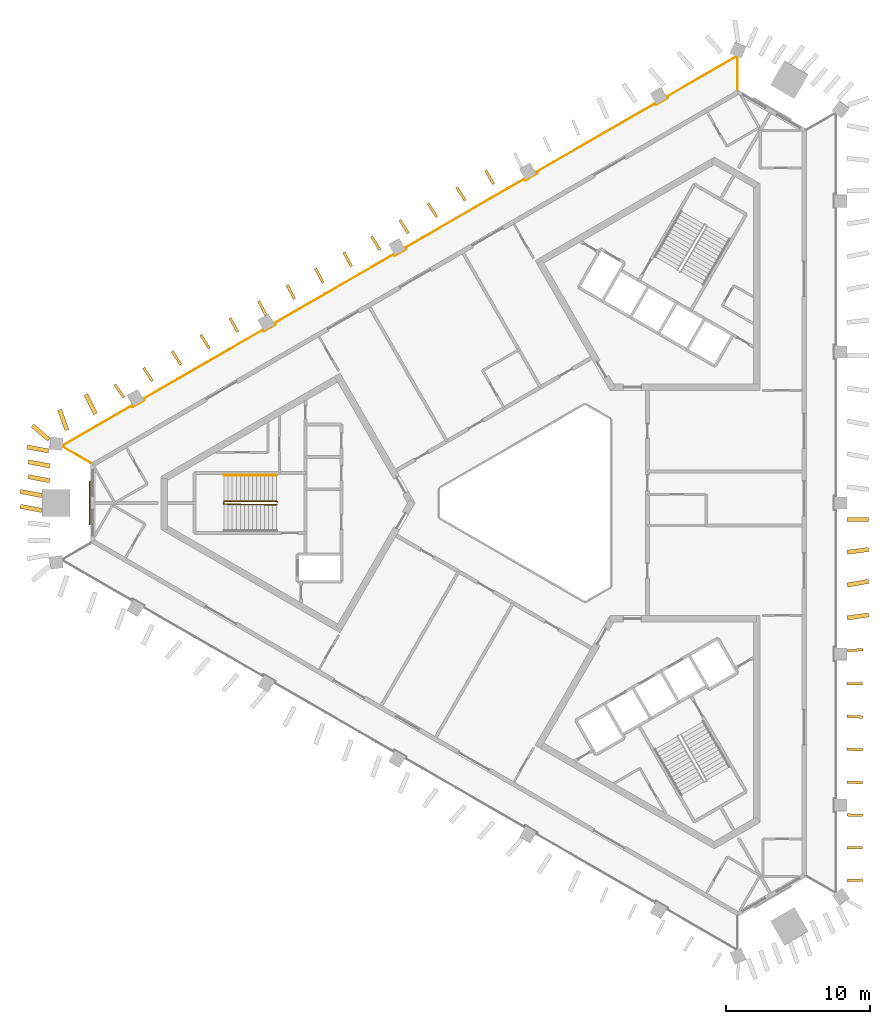
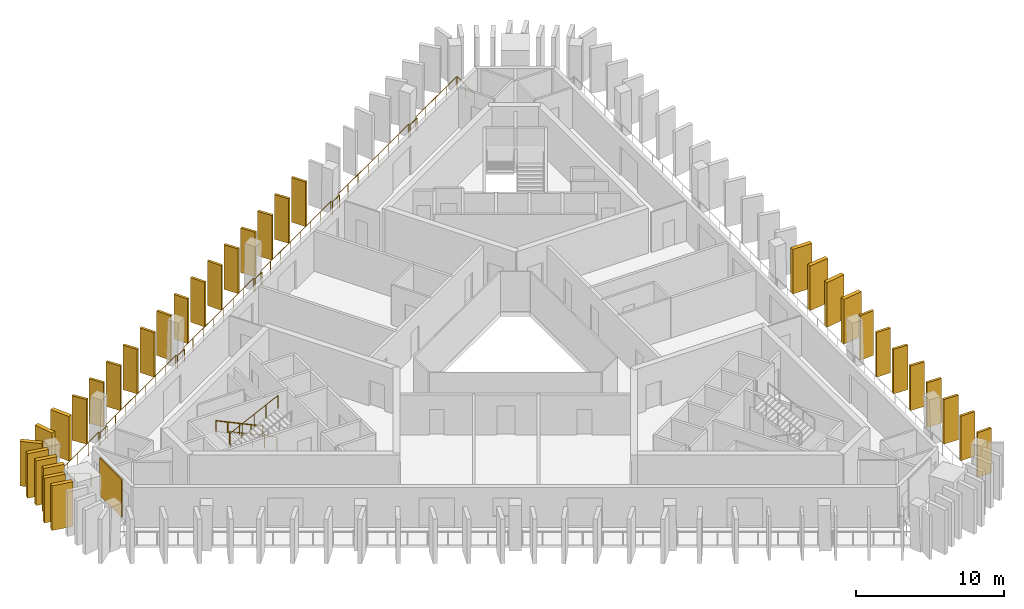
# One storey, part 8 of 9: 34 shading devices, 3 railings, 1 covering.
"""IFC4 building model written with IfcOpenShell, lengths in metres."""

import ifcopenshell
import ifcopenshell.guid

model = None  # the IFC model being written
_history = None  # IfcOwnerHistory: only IFC2X3 demands one
_inside = {}  # id of a spatial element -> (the spatial element, [elements in it])
_under = {}  # id of a project, library or spatial element -> (it, [spatial elements below it])
_declared = {}  # id of a project -> (the project, [libraries it declares])
_typed = {}  # id of a type object -> (the type object, [elements of that type])
_made_of = {}  # id of a material, layer set ... -> (it, [elements and type objects made of it])


def new_model(schema):
    """Start an empty IFC model of exactly this schema.

    Asked for "IFC4X3", IfcOpenShell would pick the latest addendum, in which some entities
    have other attributes; the version numbers below select the first issue.
    IFC2X3 requires an IfcOwnerHistory on every rooted entity: one is made here for all.
    """
    global model, _history
    if schema == "IFC4X3":
        model = ifcopenshell.file(schema_version=(4, 3, 0, 0))
    else:
        model = ifcopenshell.file(schema=schema)
    _inside.clear()
    _under.clear()
    _declared.clear()
    _typed.clear()
    _made_of.clear()
    _history = None
    if model.schema == "IFC2X3":
        org = make("IfcOrganization", Name="unknown")
        user = make(
            "IfcPersonAndOrganization",
            ThePerson=make("IfcPerson", FamilyName="unknown"),
            TheOrganization=org,
        )
        app = make(
            "IfcApplication",
            ApplicationDeveloper=org,
            Version="unknown",
            ApplicationFullName="unknown",
            ApplicationIdentifier="unknown",
        )
        _history = make(
            "IfcOwnerHistory",
            OwningUser=user,
            OwningApplication=app,
            ChangeAction="ADDED",
            CreationDate=0,
        )
    return model


def make(cls, **values):
    """One entity of the class cls with the attributes given. An attribute that is None is left unset."""
    return model.create_entity(
        cls, **{name: value for name, value in values.items() if value is not None}
    )


def rooted(cls, **values):
    """An entity with a GlobalId (a new one), such as an element, a storey or a relation."""
    return make(cls, GlobalId=ifcopenshell.guid.new(), OwnerHistory=_history, **values)


def si_unit(unit_type, name, prefix=None):
    """IfcSIUnit, for example si_unit("LENGTHUNIT", "METRE", prefix="MILLI")."""
    return make("IfcSIUnit", UnitType=unit_type, Prefix=prefix, Name=name)


def assignment(units):
    """IfcUnitAssignment: the units of a project."""
    return None if units is None else make("IfcUnitAssignment", Units=units)


def point(xyz):
    """IfcCartesianPoint."""
    return None if xyz is None else make("IfcCartesianPoint", Coordinates=xyz)


def direction(xyz):
    """IfcDirection."""
    return None if xyz is None else make("IfcDirection", DirectionRatios=xyz)


def frame(location, z_axis=None, x_axis=None):
    """IfcAxis2Placement3D, a coordinate frame: its origin and axes. An axis left out is left unset."""
    return make(
        "IfcAxis2Placement3D",
        Location=point(location),
        Axis=direction(z_axis),
        RefDirection=direction(x_axis),
    )


def frame_2d(location, x_axis=None):
    """IfcAxis2Placement2D, a coordinate frame in the plane: its origin and x axis."""
    return make(
        "IfcAxis2Placement2D", Location=point(location), RefDirection=direction(x_axis)
    )


def origin():
    """The frame at (0, 0, 0) with its axes left unset."""
    return frame((0.0, 0.0, 0.0))


def origin_2d():
    """The frame at (0, 0) in the plane with its x axis left unset."""
    return frame_2d((0.0, 0.0))


def place(relative_to, where):
    """IfcLocalPlacement: puts the frame where relative to a parent placement (None: the world)."""
    return make(
        "IfcLocalPlacement", PlacementRelTo=relative_to, RelativePlacement=where
    )


def context(
    kind, dimensions, precision=None, world=None, true_north=None, identifier=None
):
    """IfcGeometricRepresentationContext, for example the 3D "Model" context."""
    return make(
        "IfcGeometricRepresentationContext",
        ContextIdentifier=identifier,
        ContextType=kind,
        CoordinateSpaceDimension=dimensions,
        Precision=precision,
        WorldCoordinateSystem=world,
        TrueNorth=true_north,
    )


def subcontext(parent, identifier, kind, view, scale=None):
    """IfcGeometricRepresentationSubContext, for example "Body" below "Model"."""
    return make(
        "IfcGeometricRepresentationSubContext",
        ContextIdentifier=identifier,
        ContextType=kind,
        ParentContext=parent,
        TargetScale=scale,
        TargetView=view,
    )


def project(units=None, contexts=None):
    """IfcProject with its units and contexts."""
    return rooted(
        "IfcProject",
        Name="project",
        RepresentationContexts=contexts,
        UnitsInContext=assignment(units),
    )


def spatial(cls, under=None, at=None, **own):
    """A site, building, storey or space (cls), placed at a placement, below another one or the project."""
    s = rooted(cls, ObjectPlacement=at, **own)
    if under is not None:
        _under.setdefault(under.id(), (under, []))[1].append(s)
    return s


def profile(cls, at=None, kind="AREA", **sizes):
    """A parametric profile (cls). Its sizes go by their IFC names, for example OverallWidth=200.0."""
    return make(cls, ProfileType=kind, Position=at, **sizes)


def rectangle(**sizes):
    """IfcRectangleProfileDef."""
    return profile("IfcRectangleProfileDef", **sizes)


def circle(**sizes):
    """IfcCircleProfileDef."""
    return profile("IfcCircleProfileDef", **sizes)


def extrude(swept, where, along, depth):
    """IfcExtrudedAreaSolid: the profile swept, set in the frame where, extruded along a direction by depth."""
    return make(
        "IfcExtrudedAreaSolid",
        SweptArea=swept,
        Position=where,
        ExtrudedDirection=direction(along),
        Depth=depth,
    )


def shape(context_of_items, identifier, shape_type, items):
    """IfcShapeRepresentation: the items that make up one representation, for example the "Body"."""
    return make(
        "IfcShapeRepresentation",
        ContextOfItems=context_of_items,
        RepresentationIdentifier=identifier,
        RepresentationType=shape_type,
        Items=items,
    )


def material(Name=None, Category=None):
    """IfcMaterial."""
    return make("IfcMaterial", Name=Name, Category=Category)


def layer(
    of_material, thickness, ventilated=None, Name=None, Category=None, Priority=None
):
    """IfcMaterialLayer: one layer of a wall or slab, of a material (None: an air gap)."""
    return make(
        "IfcMaterialLayer",
        Material=of_material,
        LayerThickness=thickness,
        IsVentilated=ventilated,
        Name=Name,
        Category=Category,
        Priority=Priority,
    )


def layer_set(layers, Name=None):
    """IfcMaterialLayerSet."""
    return make("IfcMaterialLayerSet", MaterialLayers=layers, LayerSetName=Name)


def made_of(thing, what):
    """Note that an element or type object is made of a material, layer set ...; save() writes the relation."""
    if what is not None:
        _made_of.setdefault(what.id(), (what, []))[1].append(thing)
    return thing


def type_object(cls, material=None, **own):
    """A type object (cls), such as IfcWallType, which elements share."""
    return made_of(rooted(cls, **own), material)


def element(
    cls,
    number,
    at=None,
    inside=None,
    cuts=None,
    type_object=None,
    material=None,
    context=None,
    identifier="Body",
    shape_type=None,
    held_by="IfcProductDefinitionShape",
    body=None,
    shapes=None,
    **own,
):
    """One element of the class cls, such as IfcWall. Its Tag is "e" and its number.

    at: its placement. inside: the storey or other place that contains it. cuts: it is an
    opening in that element (IfcRelVoidsElement). A single representation is given by context,
    identifier, shape_type and body (its items); several are given by shapes. held_by: the class
    of the entity that holds the representations. save() writes the other relations.
    """
    e = rooted(cls, Tag="e%d" % number, ObjectPlacement=at, **own)
    if body is not None:
        shapes = [shape(context, identifier, shape_type, body)]
    if shapes is not None:
        e.Representation = make(held_by, Representations=shapes)
    if inside is not None:
        _inside.setdefault(inside.id(), (inside, []))[1].append(e)
    if cuts is not None:
        rooted(
            "IfcRelVoidsElement", RelatingBuildingElement=cuts, RelatedOpeningElement=e
        )
    if type_object is not None:
        _typed.setdefault(type_object.id(), (type_object, []))[1].append(e)
    return made_of(e, material)


def aggregate(whole, parts):
    """IfcRelAggregates: a whole, such as a stair, and the parts it consists of."""
    return rooted("IfcRelAggregates", RelatingObject=whole, RelatedObjects=parts)


def save(model, path):
    """Write the relations noted so far, then the file.

    IfcRelAggregates (storeys below a building ...), IfcRelContainedInSpatialStructure (elements
    in a storey), IfcRelDefinesByType, IfcRelAssociatesMaterial and IfcRelDeclares: one each for
    every whole, place, type object, material and project.
    """
    for whole, parts in _under.values():
        aggregate(whole, parts)
    for where, things in _inside.values():
        rooted(
            "IfcRelContainedInSpatialStructure",
            RelatedElements=things,
            RelatingStructure=where,
        )
    for kind, things in _typed.values():
        rooted("IfcRelDefinesByType", RelatedObjects=things, RelatingType=kind)
    for what, things in _made_of.values():
        rooted("IfcRelAssociatesMaterial", RelatedObjects=things, RelatingMaterial=what)
    for by, libraries in _declared.values():
        rooted("IfcRelDeclares", RelatingContext=by, RelatedDefinitions=libraries)
    model.write(path)


model = new_model("IFC4")

# Units and contexts
model_context = context("Model", 3, precision=1e-05, world=origin(), true_north=direction((0.0, 1.0)))
body_context = subcontext(model_context, "Body", "Model", "MODEL_VIEW")
ifc_project = project(units=[si_unit("LENGTHUNIT", "METRE"), si_unit("AREAUNIT", "SQUARE_METRE"), si_unit("VOLUMEUNIT", "CUBIC_METRE"), si_unit("PLANEANGLEUNIT", "RADIAN"), si_unit("MASSUNIT", "GRAM", prefix="KILO")], contexts=[model_context])

# Site, building, storey
site_placement = place(None, origin())
site = spatial("IfcSite", under=ifc_project, at=site_placement, CompositionType="ELEMENT")
building_placement = place(site_placement, origin())
building = spatial("IfcBuilding", under=site, at=building_placement, Name="Jabali Bay Hotel Tower and Convention Centre", CompositionType="ELEMENT")
storey_placement = place(building_placement, frame((0.0, 0.0, 205.800048828125)))
storey = spatial("IfcBuildingStorey", under=building, at=storey_placement, Name="L50", CompositionType="ELEMENT", Elevation=205.800048828125)

# Railing
ifc_material_1 = material(Name="Glass", Category="glass")
railing_type_1 = type_object("IfcRailingType", Name="Loggia glass guard 1100", PredefinedType="BALUSTRADE", material=ifc_material_1)
railing_1_placement = place(storey_placement, frame((43.52197265625, 82.784912109375, 0.0)))
element("IfcRailing", 1, at=railing_1_placement, inside=storey, type_object=railing_type_1, Name="Loggia glass guard L50", PredefinedType="BALUSTRADE", context=body_context, shape_type="SweptSolid", body=[
    extrude(circle(Radius=0.02490234375, at=origin_2d()), frame((0.0, 0.0, 1.0751953125), z_axis=(-0.866008297462, 0.50002962785, 0.0), x_axis=(-0.495751805066, -0.858599476426, 0.13052619222)), (0.0, 0.0, 1.0), 2.247314453125),
    extrude(circle(Radius=0.02490234375, at=origin_2d()), frame((-1.9462890625, 1.123779296875, 1.0751953125), z_axis=(0.120005554105, 0.99277322032, 0.0), x_axis=(-0.984279907796, 0.118978889953, 0.13052619222)), (0.0, 0.0, 1.0), 0.067138671875),
    extrude(circle(Radius=0.02490234375, at=origin_2d()), frame((-1.938232421875, 1.1904296875, 1.0751953125), z_axis=(0.866040446274, 0.499973944738, 0.0), x_axis=(-0.495696598332, 0.8586313502, 0.13052619222)), (0.0, 0.0, 1.0), 5.546142578125),
    extrude(circle(Radius=0.02490234375, at=origin_2d()), frame((2.864990234375, 3.96337890625, 1.0751953125), z_axis=(0.500342721131, -0.865827443207, 0.0), x_axis=(0.858420169404, 0.496062219791, 0.13052619222)), (0.0, 0.0, 1.0), 0.125),
    extrude(circle(Radius=0.02490234375, at=origin_2d()), frame((2.927490234375, 3.855224609375, 1.0751953125), z_axis=(0.865988727248, 0.500063520245, 0.0), x_axis=(-0.495785407507, 0.858580073638, 0.13052619222)), (0.0, 0.0, 1.0), 0.9501953125),
    extrude(circle(Radius=0.02490234375, at=origin_2d()), frame((3.750244140625, 4.330322265625, 1.0751953125), z_axis=(-0.500342721131, 0.865827443207, 0.0), x_axis=(-0.858420169404, -0.496062219791, 0.13052619222)), (0.0, 0.0, 1.0), 0.125),
    extrude(circle(Radius=0.02490234375, at=origin_2d()), frame((3.687744140625, 4.4384765625, 1.0751953125), z_axis=(0.866028777211, 0.499994157009, 0.0), x_axis=(-0.495716637683, 0.858619780968, 0.13052619222)), (0.0, 0.0, 1.0), 9.51513671875),
    extrude(circle(Radius=0.02490234375, at=origin_2d()), frame((11.92822265625, 9.196044921875, 1.0751953125), z_axis=(0.500342721131, -0.865827443207, 0.0), x_axis=(0.858420169404, 0.496062219791, 0.13052619222)), (0.0, 0.0, 1.0), 0.125),
    extrude(circle(Radius=0.02490234375, at=origin_2d()), frame((11.99072265625, 9.087890625, 1.0751953125), z_axis=(0.866100000774, 0.49987077196, 0.0), x_axis=(-0.495594308211, 0.858690395203, 0.13052619222)), (0.0, 0.0, 1.0), 0.949951171875),
    extrude(circle(Radius=0.02490234375, at=origin_2d()), frame((12.8134765625, 9.562744140625, 1.0751953125), z_axis=(-0.499497219344, 0.8663154898, 0.0), x_axis=(-0.858904040691, -0.495223951389, 0.13052619222)), (0.0, 0.0, 1.0), 0.125244140625),
    extrude(circle(Radius=0.02490234375, at=origin_2d()), frame((12.7509765625, 9.671142578125, 1.0751953125), z_axis=(0.866022362689, 0.500005267295, 0.0), x_axis=(-0.495727652919, 0.858613421323, 0.13052619222)), (0.0, 0.0, 1.0), 9.51513671875),
    extrude(circle(Radius=0.02490234375, at=origin_2d()), frame((20.9912109375, 14.4287109375, 1.0751953125), z_axis=(0.499497219344, -0.8663154898, 0.0), x_axis=(0.858904040691, 0.495223951389, 0.13052619222)), (0.0, 0.0, 1.0), 0.125244140625),
    extrude(circle(Radius=0.02490234375, at=origin_2d()), frame((21.0537109375, 14.3203125, 1.0751953125), z_axis=(0.865988727248, 0.500063520245, 0.0), x_axis=(-0.495785407507, 0.858580073638, 0.13052619222)), (0.0, 0.0, 1.0), 0.9501953125),
    extrude(circle(Radius=0.02490234375, at=origin_2d()), frame((21.87646484375, 14.79541015625, 1.0751953125), z_axis=(-0.500342721131, 0.865827443207, 0.0), x_axis=(-0.858420169404, -0.496062219791, 0.13052619222)), (0.0, 0.0, 1.0), 0.125),
    extrude(circle(Radius=0.02490234375, at=origin_2d()), frame((21.81396484375, 14.903564453125, 1.0751953125), z_axis=(0.866017667059, 0.500013400162, 0.0), x_axis=(-0.495735716208, 0.858608765865, 0.13052619222)), (0.0, 0.0, 1.0), 9.515380859375),
    extrude(circle(Radius=0.02490234375, at=origin_2d()), frame((30.054443359375, 19.661376953125, 1.0751953125), z_axis=(0.499497219344, -0.8663154898, 0.0), x_axis=(0.858904040691, 0.495223951389, 0.13052619222)), (0.0, 0.0, 1.0), 0.125244140625),
    extrude(circle(Radius=0.02490234375, at=origin_2d()), frame((30.116943359375, 19.552978515625, 1.0751953125), z_axis=(0.865988727248, 0.500063520245, 0.0), x_axis=(-0.495785407507, 0.858580073638, 0.13052619222)), (0.0, 0.0, 1.0), 0.9501953125),
    extrude(circle(Radius=0.02490234375, at=origin_2d()), frame((30.939697265625, 20.028076171875, 1.0751953125), z_axis=(-0.500342721131, 0.865827443207, 0.0), x_axis=(-0.858420169404, -0.496062219791, 0.13052619222)), (0.0, 0.0, 1.0), 0.125),
    extrude(circle(Radius=0.02490234375, at=origin_2d()), frame((30.877197265625, 20.13623046875, 1.0751953125), z_axis=(0.866022362689, 0.500005267295, 0.0), x_axis=(-0.495727652919, 0.858613421323, 0.13052619222)), (0.0, 0.0, 1.0), 9.51513671875),
    extrude(circle(Radius=0.02490234375, at=origin_2d()), frame((39.117431640625, 24.893798828125, 1.0751953125), z_axis=(0.500342721131, -0.865827443207, 0.0), x_axis=(0.858420169404, 0.496062219791, 0.13052619222)), (0.0, 0.0, 1.0), 0.125),
    extrude(circle(Radius=0.02490234375, at=origin_2d()), frame((39.179931640625, 24.78564453125, 1.0751953125), z_axis=(0.865988727248, 0.500063520245, 0.0), x_axis=(-0.495785407507, 0.858580073638, 0.13052619222)), (0.0, 0.0, 1.0), 0.9501953125),
    extrude(circle(Radius=0.02490234375, at=origin_2d()), frame((40.002685546875, 25.2607421875, 1.0751953125), z_axis=(-0.500342721131, 0.865827443207, 0.0), x_axis=(-0.858420169404, -0.496062219791, 0.13052619222)), (0.0, 0.0, 1.0), 0.125),
    extrude(circle(Radius=0.02490234375, at=origin_2d()), frame((39.940185546875, 25.368896484375, 1.0751953125), z_axis=(0.866021385706, 0.500006959451, 0.0), x_axis=(-0.495729330599, 0.858612452698, 0.13052619222)), (0.0, 0.0, 1.0), 5.54638671875),
    extrude(circle(Radius=0.02490234375, at=origin_2d()), frame((44.743408203125, 28.14208984375, 1.0751953125), z_axis=(0.91970817197, -0.392602697916, 0.0), x_axis=(0.38924392741, 0.911839941063, 0.13052619222)), (0.0, 0.0, 1.0), 0.067138671875),
    extrude(circle(Radius=0.02490234375, at=origin_2d()), frame((44.80517578125, 28.11572265625, 1.0751953125), z_axis=(0.0, -1.0, 0.0), x_axis=(0.991444861374, 0.0, 0.13052619222)), (0.0, 0.0, 1.0), 2.24755859375),
    extrude(circle(Radius=0.02001953125, at=origin_2d()), origin(), (0.0, 0.0, 1.0), 1.050048828125),
    extrude(circle(Radius=0.02001953125, at=origin_2d()), frame((-0.97314453125, 0.56201171875, 0.0)), (0.0, 0.0, 1.0), 1.050048828125),
    extrude(circle(Radius=0.02001953125, at=origin_2d()), frame((-1.9462890625, 1.123779296875, 0.0)), (0.0, 0.0, 1.0), 1.050048828125),
    extrude(circle(Radius=0.02001953125, at=origin_2d()), frame((-1.938232421875, 1.1904296875, 0.0)), (0.0, 0.0, 1.0), 1.050048828125),
    extrude(circle(Radius=0.02001953125, at=origin_2d()), frame((-0.7373046875, 1.8837890625, 0.0)), (0.0, 0.0, 1.0), 1.050048828125),
    extrude(circle(Radius=0.02001953125, at=origin_2d()), frame((0.46337890625, 2.576904296875, 0.0)), (0.0, 0.0, 1.0), 1.050048828125),
    extrude(circle(Radius=0.02001953125, at=origin_2d()), frame((1.6640625, 3.27001953125, 0.0)), (0.0, 0.0, 1.0), 1.050048828125),
    extrude(circle(Radius=0.02001953125, at=origin_2d()), frame((2.864990234375, 3.96337890625, 0.0)), (0.0, 0.0, 1.0), 1.050048828125),
    extrude(circle(Radius=0.02001953125, at=origin_2d()), frame((2.927490234375, 3.855224609375, 0.0)), (0.0, 0.0, 1.0), 1.050048828125),
    extrude(circle(Radius=0.02001953125, at=origin_2d()), frame((3.750244140625, 4.330322265625, 0.0)), (0.0, 0.0, 1.0), 1.050048828125),
    extrude(circle(Radius=0.02001953125, at=origin_2d()), frame((3.687744140625, 4.4384765625, 0.0)), (0.0, 0.0, 1.0), 1.050048828125),
    extrude(circle(Radius=0.02001953125, at=origin_2d()), frame((4.864990234375, 5.1181640625, 0.0)), (0.0, 0.0, 1.0), 1.050048828125),
    extrude(circle(Radius=0.02001953125, at=origin_2d()), frame((6.042236328125, 5.7978515625, 0.0)), (0.0, 0.0, 1.0), 1.050048828125),
    extrude(circle(Radius=0.02001953125, at=origin_2d()), frame((7.219482421875, 6.4775390625, 0.0)), (0.0, 0.0, 1.0), 1.050048828125),
    extrude(circle(Radius=0.02001953125, at=origin_2d()), frame((8.396484375, 7.156982421875, 0.0)), (0.0, 0.0, 1.0), 1.050048828125),
    extrude(circle(Radius=0.02001953125, at=origin_2d()), frame((9.57373046875, 7.836669921875, 0.0)), (0.0, 0.0, 1.0), 1.050048828125),
    extrude(circle(Radius=0.02001953125, at=origin_2d()), frame((10.7509765625, 8.516357421875, 0.0)), (0.0, 0.0, 1.0), 1.050048828125),
    extrude(circle(Radius=0.02001953125, at=origin_2d()), frame((11.92822265625, 9.196044921875, 0.0)), (0.0, 0.0, 1.0), 1.050048828125),
    extrude(circle(Radius=0.02001953125, at=origin_2d()), frame((11.99072265625, 9.087890625, 0.0)), (0.0, 0.0, 1.0), 1.050048828125),
    extrude(circle(Radius=0.02001953125, at=origin_2d()), frame((12.8134765625, 9.562744140625, 0.0)), (0.0, 0.0, 1.0), 1.050048828125),
    extrude(circle(Radius=0.02001953125, at=origin_2d()), frame((12.7509765625, 9.671142578125, 0.0)), (0.0, 0.0, 1.0), 1.050048828125),
    extrude(circle(Radius=0.02001953125, at=origin_2d()), frame((13.92822265625, 10.350830078125, 0.0)), (0.0, 0.0, 1.0), 1.050048828125),
    extrude(circle(Radius=0.02001953125, at=origin_2d()), frame((15.105224609375, 11.030517578125, 0.0)), (0.0, 0.0, 1.0), 1.050048828125),
    extrude(circle(Radius=0.02001953125, at=origin_2d()), frame((16.282470703125, 11.710205078125, 0.0)), (0.0, 0.0, 1.0), 1.050048828125),
    extrude(circle(Radius=0.02001953125, at=origin_2d()), frame((17.459716796875, 12.3896484375, 0.0)), (0.0, 0.0, 1.0), 1.050048828125),
    extrude(circle(Radius=0.02001953125, at=origin_2d()), frame((18.636962890625, 13.0693359375, 0.0)), (0.0, 0.0, 1.0), 1.050048828125),
    extrude(circle(Radius=0.02001953125, at=origin_2d()), frame((19.81396484375, 13.7490234375, 0.0)), (0.0, 0.0, 1.0), 1.050048828125),
    extrude(circle(Radius=0.02001953125, at=origin_2d()), frame((20.9912109375, 14.4287109375, 0.0)), (0.0, 0.0, 1.0), 1.050048828125),
    extrude(circle(Radius=0.02001953125, at=origin_2d()), frame((21.0537109375, 14.3203125, 0.0)), (0.0, 0.0, 1.0), 1.050048828125),
    extrude(circle(Radius=0.02001953125, at=origin_2d()), frame((21.87646484375, 14.79541015625, 0.0)), (0.0, 0.0, 1.0), 1.050048828125),
    extrude(circle(Radius=0.02001953125, at=origin_2d()), frame((21.81396484375, 14.903564453125, 0.0)), (0.0, 0.0, 1.0), 1.050048828125),
    extrude(circle(Radius=0.02001953125, at=origin_2d()), frame((22.9912109375, 15.583251953125, 0.0)), (0.0, 0.0, 1.0), 1.050048828125),
    extrude(circle(Radius=0.02001953125, at=origin_2d()), frame((24.16845703125, 16.262939453125, 0.0)), (0.0, 0.0, 1.0), 1.050048828125),
    extrude(circle(Radius=0.02001953125, at=origin_2d()), frame((25.345703125, 16.942626953125, 0.0)), (0.0, 0.0, 1.0), 1.050048828125),
    extrude(circle(Radius=0.02001953125, at=origin_2d()), frame((26.522705078125, 17.622314453125, 0.0)), (0.0, 0.0, 1.0), 1.050048828125),
    extrude(circle(Radius=0.02001953125, at=origin_2d()), frame((27.699951171875, 18.302001953125, 0.0)), (0.0, 0.0, 1.0), 1.050048828125),
    extrude(circle(Radius=0.02001953125, at=origin_2d()), frame((28.877197265625, 18.981689453125, 0.0)), (0.0, 0.0, 1.0), 1.050048828125),
    extrude(circle(Radius=0.02001953125, at=origin_2d()), frame((30.054443359375, 19.661376953125, 0.0)), (0.0, 0.0, 1.0), 1.050048828125),
    extrude(circle(Radius=0.02001953125, at=origin_2d()), frame((30.116943359375, 19.552978515625, 0.0)), (0.0, 0.0, 1.0), 1.050048828125),
    extrude(circle(Radius=0.02001953125, at=origin_2d()), frame((30.939697265625, 20.028076171875, 0.0)), (0.0, 0.0, 1.0), 1.050048828125),
    extrude(circle(Radius=0.02001953125, at=origin_2d()), frame((30.877197265625, 20.13623046875, 0.0)), (0.0, 0.0, 1.0), 1.050048828125),
    extrude(circle(Radius=0.02001953125, at=origin_2d()), frame((32.054443359375, 20.81591796875, 0.0)), (0.0, 0.0, 1.0), 1.050048828125),
    extrude(circle(Radius=0.02001953125, at=origin_2d()), frame((33.2314453125, 21.49560546875, 0.0)), (0.0, 0.0, 1.0), 1.050048828125),
    extrude(circle(Radius=0.02001953125, at=origin_2d()), frame((34.40869140625, 22.17529296875, 0.0)), (0.0, 0.0, 1.0), 1.050048828125),
    extrude(circle(Radius=0.02001953125, at=origin_2d()), frame((35.5859375, 22.854736328125, 0.0)), (0.0, 0.0, 1.0), 1.050048828125),
    extrude(circle(Radius=0.02001953125, at=origin_2d()), frame((36.76318359375, 23.534423828125, 0.0)), (0.0, 0.0, 1.0), 1.050048828125),
    extrude(circle(Radius=0.02001953125, at=origin_2d()), frame((37.940185546875, 24.214111328125, 0.0)), (0.0, 0.0, 1.0), 1.050048828125),
    extrude(circle(Radius=0.02001953125, at=origin_2d()), frame((39.117431640625, 24.893798828125, 0.0)), (0.0, 0.0, 1.0), 1.050048828125),
    extrude(circle(Radius=0.02001953125, at=origin_2d()), frame((39.179931640625, 24.78564453125, 0.0)), (0.0, 0.0, 1.0), 1.050048828125),
    extrude(circle(Radius=0.02001953125, at=origin_2d()), frame((40.002685546875, 25.2607421875, 0.0)), (0.0, 0.0, 1.0), 1.050048828125),
    extrude(circle(Radius=0.02001953125, at=origin_2d()), frame((39.940185546875, 25.368896484375, 0.0)), (0.0, 0.0, 1.0), 1.050048828125),
    extrude(circle(Radius=0.02001953125, at=origin_2d()), frame((41.14111328125, 26.062255859375, 0.0)), (0.0, 0.0, 1.0), 1.050048828125),
    extrude(circle(Radius=0.02001953125, at=origin_2d()), frame((42.341796875, 26.75537109375, 0.0)), (0.0, 0.0, 1.0), 1.050048828125),
    extrude(circle(Radius=0.02001953125, at=origin_2d()), frame((43.54248046875, 27.44873046875, 0.0)), (0.0, 0.0, 1.0), 1.050048828125),
    extrude(circle(Radius=0.02001953125, at=origin_2d()), frame((44.743408203125, 28.14208984375, 0.0)), (0.0, 0.0, 1.0), 1.050048828125),
    extrude(circle(Radius=0.02001953125, at=origin_2d()), frame((44.80517578125, 28.11572265625, 0.0)), (0.0, 0.0, 1.0), 1.050048828125),
    extrude(circle(Radius=0.02001953125, at=origin_2d()), frame((44.80517578125, 26.991943359375, 0.0)), (0.0, 0.0, 1.0), 1.050048828125),
    extrude(circle(Radius=0.02001953125, at=origin_2d()), frame((44.80517578125, 25.8681640625, 0.0)), (0.0, 0.0, 1.0), 1.050048828125),
])

# Shading devices
ifc_material_2 = material(Name="Precast concrete C60", Category="concrete")
ifc_layer_1 = layer(ifc_material_2, 0.179931640625)
ifc_layer_set_1 = layer_set([ifc_layer_1], Name="Precast concrete C60")
shading_device_type_1 = type_object("IfcShadingDeviceType", Name="Precast fin 3680 x 1100", PredefinedType="USERDEFINED", material=ifc_layer_set_1)
for number, where, z_axis, x_axis, name in (
    (2, (95.904296875, 53.85400390625, 0.010009765625), (0.0, 0.0, 1.0), (0.99927942095, 0.037955748774, 0.0), "Fin L50 000"),
    (3, (95.90185546875, 56.12744140625, 0.010009765625), (0.0, 0.0, 1.0), (0.999919965362, 0.012651595566, 0.0), "Fin L50 001"),
):
    element("IfcShadingDevice", number, at=place(storey_placement, frame(where, z_axis=z_axis, x_axis=x_axis)), inside=storey, type_object=shading_device_type_1, Name=name, ObjectType="FIN", PredefinedType="USERDEFINED", context=body_context, shape_type="SweptSolid", body=[
        extrude(rectangle(XDim=1.099853515625, YDim=0.179931640625, at=frame_2d((0.5498046875, 0.0))), origin(), (0.0, 0.0, 1.0), 3.679931640625),
    ])
shading_device_1_placement = place(storey_placement, frame((95.903564453125, 58.401123046875, 0.010009765625), z_axis=(0.0, 0.0, 1.0), x_axis=(0.999489300498, -0.031955252947, 0.0)))
element("IfcShadingDevice", 4, at=shading_device_1_placement, inside=storey, type_object=shading_device_type_1, Name="Fin L50 002", ObjectType="FIN", PredefinedType="USERDEFINED", context=body_context, shape_type="SweptSolid", body=[
    extrude(rectangle(XDim=1.10009765625, YDim=0.179931640625, at=frame_2d((0.550048828125, 0.0))), origin(), (0.0, 0.0, 1.0), 3.679931640625),
])
shading_device_2_placement = place(storey_placement, frame((95.904296875, 60.674560546875, 0.010009765625), z_axis=(0.0, 0.0, 1.0), x_axis=(0.999253944226, -0.038620654441, 0.0)))
element("IfcShadingDevice", 5, at=shading_device_2_placement, inside=storey, type_object=shading_device_type_1, Name="Fin L50 003", ObjectType="FIN", PredefinedType="USERDEFINED", context=body_context, shape_type="SweptSolid", body=[
    extrude(rectangle(XDim=1.099853515625, YDim=0.179931640625, at=frame_2d((0.5498046875, 0.0))), origin(), (0.0, 0.0, 1.0), 3.679931640625),
])
for number, where, z_axis, x_axis, name in (
    (6, (95.904296875, 62.9482421875, 0.010009765625), (0.0, 0.0, 1.0), (0.999201667658, -0.039950311013, 0.0), "Fin L50 004"),
    (7, (95.904541015625, 65.221923828125, 0.010009765625), (0.0, 0.0, 1.0), (0.999091824998, -0.042608980542, 0.0), "Fin L50 005"),
    (8, (95.90087890625, 67.495361328125, 0.010009765625), (0.0, 0.0, 1.0), (0.99999960599, -0.000887704932, 0.0), "Fin L50 006"),
):
    element("IfcShadingDevice", number, at=place(storey_placement, frame(where, z_axis=z_axis, x_axis=x_axis)), inside=storey, type_object=shading_device_type_1, Name=name, ObjectType="FIN", PredefinedType="USERDEFINED", context=body_context, shape_type="SweptSolid", body=[
        extrude(rectangle(XDim=1.10009765625, YDim=0.179931640625, at=frame_2d((0.550048828125, 0.0))), origin(), (0.0, 0.0, 1.0), 3.679931640625),
    ])
for number, where, z_axis, x_axis, name in (
    (9, (95.9326171875, 69.76904296875, 0.010009765625), (0.0, 0.0, 1.0), (0.997164434795, 0.075253504763, 0.0), "Fin L50 007"),
    (10, (71.44091796875, 102.079345703125, 0.010009765625), (0.0, 0.0, 1.0), (-0.499171535412, 0.866503189973, 0.0), "Fin L50 040"),
):
    element("IfcShadingDevice", number, at=place(storey_placement, frame(where, z_axis=z_axis, x_axis=x_axis)), inside=storey, type_object=shading_device_type_1, Name=name, ObjectType="FIN", PredefinedType="USERDEFINED", context=body_context, shape_type="SweptSolid", body=[
        extrude(rectangle(XDim=1.099853515625, YDim=0.179931640625, at=frame_2d((0.5498046875, 0.0))), origin(), (0.0, 0.0, 1.0), 3.679931640625),
    ])
shading_device_3_placement = place(storey_placement, frame((69.47021484375, 100.945556640625, 0.010009765625), z_axis=(0.0, 0.0, 1.0), x_axis=(-0.533784212424, 0.845620727375, 0.0)))
element("IfcShadingDevice", 11, at=shading_device_3_placement, inside=storey, type_object=shading_device_type_1, Name="Fin L50 041", ObjectType="FIN", PredefinedType="USERDEFINED", context=body_context, shape_type="SweptSolid", body=[
    extrude(rectangle(XDim=1.10009765625, YDim=0.179931640625, at=frame_2d((0.550048828125, 0.0))), origin(), (0.0, 0.0, 1.0), 3.679931640625),
])
shading_device_4_placement = place(storey_placement, frame((67.501220703125, 99.808837890625, 0.010009765625), z_axis=(0.0, 0.0, 1.0), x_axis=(-0.532948668596, 0.846147573797, 0.0)))
element("IfcShadingDevice", 12, at=shading_device_4_placement, inside=storey, type_object=shading_device_type_1, Name="Fin L50 042", ObjectType="FIN", PredefinedType="USERDEFINED", context=body_context, shape_type="SweptSolid", body=[
    extrude(rectangle(XDim=1.099853515625, YDim=0.179931640625, at=frame_2d((0.5498046875, 0.0))), origin(), (0.0, 0.0, 1.0), 3.679931640625),
])
for number, where, z_axis, x_axis, name in (
    (13, (65.532470703125, 98.671875, 0.010009765625), (0.0, 0.0, 1.0), (-0.532848585823, 0.846210602975, 0.0), "Fin L50 043"),
    (14, (63.5634765625, 97.534912109375, 0.010009765625), (0.0, 0.0, 1.0), (-0.530816531172, 0.847486761097, 0.0), "Fin L50 044"),
    (15, (61.59521484375, 96.397216796875, 0.010009765625), (0.0, 0.0, 1.0), (-0.479847045381, 0.877352160218, 0.0), "Fin L50 045"),
):
    element("IfcShadingDevice", number, at=place(storey_placement, frame(where, z_axis=z_axis, x_axis=x_axis)), inside=storey, type_object=shading_device_type_1, Name=name, ObjectType="FIN", PredefinedType="USERDEFINED", context=body_context, shape_type="SweptSolid", body=[
        extrude(rectangle(XDim=1.10009765625, YDim=0.179931640625, at=frame_2d((0.550048828125, 0.0))), origin(), (0.0, 0.0, 1.0), 3.679931640625),
    ])
for number, where, z_axis, x_axis, name in (
    (16, (59.62548828125, 95.26171875, 0.010009765625), (0.0, 0.0, 1.0), (-0.466816490514, 0.884354207422, 0.0), "Fin L50 046"),
    (17, (57.656494140625, 94.124755859375, 0.010009765625), (0.0, 0.0, 1.0), (-0.46655125145, 0.884494166046, 0.0), "Fin L50 047"),
    (18, (55.675048828125, 93.009765625, 0.010009765625), (0.0, 0.0, 1.0), (-0.46655125145, 0.884494166046, 0.0), "Fin L50 048"),
    (19, (53.7197265625, 91.849365234375, 0.010009765625), (0.0, 0.0, 1.0), (-0.488975058129, 0.872297765977, 0.0), "Fin L50 049"),
    (20, (51.74951171875, 90.714599609375, 0.010009765625), (0.0, 0.0, 1.0), (-0.534460547305, 0.845193423646, 0.0), "Fin L50 050"),
):
    element("IfcShadingDevice", number, at=place(storey_placement, frame(where, z_axis=z_axis, x_axis=x_axis)), inside=storey, type_object=shading_device_type_1, Name=name, ObjectType="FIN", PredefinedType="USERDEFINED", context=body_context, shape_type="SweptSolid", body=[
        extrude(rectangle(XDim=1.099853515625, YDim=0.179931640625, at=frame_2d((0.5498046875, 0.0))), origin(), (0.0, 0.0, 1.0), 3.679931640625),
    ])
shading_device_5_placement = place(storey_placement, frame((49.7802734375, 89.578125, 0.010009765625), z_axis=(0.0, 0.0, 1.0), x_axis=(-0.538411166272, 0.842682274664, 0.0)))
element("IfcShadingDevice", 21, at=shading_device_5_placement, inside=storey, type_object=shading_device_type_1, Name="Fin L50 051", ObjectType="FIN", PredefinedType="USERDEFINED", context=body_context, shape_type="SweptSolid", body=[
    extrude(rectangle(XDim=1.10009765625, YDim=0.179931640625, at=frame_2d((0.550048828125, 0.0))), origin(), (0.0, 0.0, 1.0), 3.679931640625),
])
shading_device_6_placement = place(storey_placement, frame((47.810791015625, 88.442626953125, 0.010009765625), z_axis=(0.0, 0.0, 1.0), x_axis=(-0.550904051268, 0.834568586933, 0.0)))
element("IfcShadingDevice", 22, at=shading_device_6_placement, inside=storey, type_object=shading_device_type_1, Name="Fin L50 052", ObjectType="FIN", PredefinedType="USERDEFINED", context=body_context, shape_type="SweptSolid", body=[
    extrude(rectangle(XDim=1.099853515625, YDim=0.179931640625, at=frame_2d((0.5498046875, 0.0))), origin(), (0.0, 0.0, 1.0), 3.679931640625),
])
shading_device_7_placement = place(storey_placement, frame((45.840087890625, 87.308837890625, 0.010009765625), z_axis=(0.0, 0.0, 1.0), x_axis=(-0.581951807924, 0.813223273926, 0.0)))
element("IfcShadingDevice", 23, at=shading_device_7_placement, inside=storey, type_object=shading_device_type_1, Name="Fin L50 053", ObjectType="FIN", PredefinedType="USERDEFINED", context=body_context, shape_type="SweptSolid", body=[
    extrude(rectangle(XDim=1.10009765625, YDim=0.179931640625, at=frame_2d((0.550048828125, 0.0))), origin(), (0.0, 0.0, 1.0), 3.679931640625),
])
ifc_layer_2 = layer(ifc_material_2, 0.300048828125)
ifc_layer_set_2 = layer_set([ifc_layer_2], Name="Precast concrete C60")
shading_device_type_2 = type_object("IfcShadingDeviceType", Name="Precast fin 3680 x 1500", PredefinedType="USERDEFINED", material=ifc_layer_set_2)
for number, where, z_axis, x_axis, name in (
    (24, (95.921630859375, 72.04248046875, 0.010009765625), (0.0, 0.0, 1.0), (0.990269200152, 0.139165050317, 0.0), "Fin L50 008"),
    (25, (95.9267578125, 74.316162109375, 0.010009765625), (0.0, 0.0, 1.0), (0.984889881049, 0.173181760608, 0.0), "Fin L50 009"),
):
    element("IfcShadingDevice", number, at=place(storey_placement, frame(where, z_axis=z_axis, x_axis=x_axis)), inside=storey, type_object=shading_device_type_2, Name=name, ObjectType="FIN", PredefinedType="USERDEFINED", context=body_context, shape_type="SweptSolid", body=[
        extrude(rectangle(XDim=1.5, YDim=0.300048828125, at=frame_2d((0.75, 0.0))), origin(), (0.0, 0.0, 1.0), 3.679931640625),
    ])
shading_device_8_placement = place(storey_placement, frame((95.92041015625, 76.589599609375, 0.010009765625), z_axis=(0.0, 0.0, 1.0), x_axis=(0.991484741012, 0.13022291788, 0.0)))
element("IfcShadingDevice", 26, at=shading_device_8_placement, inside=storey, type_object=shading_device_type_2, Name="Fin L50 010", ObjectType="FIN", PredefinedType="USERDEFINED", context=body_context, shape_type="SweptSolid", body=[
    extrude(rectangle(XDim=1.499755859375, YDim=0.300048828125, at=frame_2d((0.75, 0.0))), origin(), (0.0, 0.0, 1.0), 3.679931640625),
])
for number, where, z_axis, x_axis, name in (
    (27, (95.90185546875, 78.86328125, 0.010009765625), (0.0, 0.0, 1.0), (0.999973178989, -0.007324022307, 0.0), "Fin L50 011"),
    (28, (43.870849609375, 86.17236328125, 0.010009765625), (0.0, 0.0, 1.0), (-0.445780794698, 0.895142158028, 0.0), "Fin L50 054"),
    (29, (41.893310546875, 85.050537109375, 0.010009765625), (0.0, 0.0, 1.0), (-0.339180488662, 0.940721316922, 0.0), "Fin L50 055"),
    (30, (40.621337890625, 83.5986328125, 0.010009765625), (0.0, 0.0, 1.0), (-0.982138555923, 0.188159126723, 0.0), "Fin L50 056"),
):
    element("IfcShadingDevice", number, at=place(storey_placement, frame(where, z_axis=z_axis, x_axis=x_axis)), inside=storey, type_object=shading_device_type_2, Name=name, ObjectType="FIN", PredefinedType="USERDEFINED", context=body_context, shape_type="SweptSolid", body=[
        extrude(rectangle(XDim=1.5, YDim=0.300048828125, at=frame_2d((0.75, 0.0))), origin(), (0.0, 0.0, 1.0), 3.679931640625),
    ])
for number, where, z_axis, x_axis, name in (
    (31, (40.69384765625, 82.570556640625, 0.010009765625), (0.0, 0.0, 1.0), (-0.982174375218, 0.187972063525, 0.0), "Fin L50 057"),
    (32, (40.69384765625, 81.542236328125, 0.010009765625), (0.0, 0.0, 1.0), (-0.982144317136, 0.188129052296, 0.0), "Fin L50 058"),
):
    element("IfcShadingDevice", number, at=place(storey_placement, frame(where, z_axis=z_axis, x_axis=x_axis)), inside=storey, type_object=shading_device_type_2, Name=name, ObjectType="FIN", PredefinedType="USERDEFINED", context=body_context, shape_type="SweptSolid", body=[
        extrude(rectangle(XDim=1.500244140625, YDim=0.300048828125, at=frame_2d((0.75, 0.0))), origin(), (0.0, 0.0, 1.0), 3.679931640625),
    ])
for number, where, z_axis, x_axis, name in (
    (33, (40.144287109375, 80.51416015625, 0.010009765625), (0.0, 0.0, 1.0), (-0.98216862344, 0.188002114696, 0.0), "Fin L50 059"),
    (34, (40.144287109375, 79.48583984375, 0.010009765625), (0.0, 0.0, 1.0), (-0.982138555923, 0.188159126723, 0.0), "Fin L50 060"),
    (35, (40.64404296875, 84.388671875, 0.010009765625), (0.0, 0.0, 1.0), (-0.76019783304, 0.649691661207, 0.0), "Fin L50 099"),
):
    element("IfcShadingDevice", number, at=place(storey_placement, frame(where, z_axis=z_axis, x_axis=x_axis)), inside=storey, type_object=shading_device_type_2, Name=name, ObjectType="FIN", PredefinedType="USERDEFINED", context=body_context, shape_type="SweptSolid", body=[
        extrude(rectangle(XDim=1.5, YDim=0.300048828125, at=frame_2d((0.75, 0.0))), origin(), (0.0, 0.0, 1.0), 3.679931640625),
    ])

# Covering
ifc_material_3 = material(Name="Precast concrete C40/50", Category="concrete")
ifc_layer_3 = layer(ifc_material_3, 0.080078125)
ifc_layer_set_3 = layer_set([ifc_layer_3], Name="Precast concrete C40/50")
covering_type = type_object("IfcCoveringType", Name="Relief panel 3000 x 3100", PredefinedType="CLADDING", material=ifc_layer_set_3)
covering_placement = place(storey_placement, frame((43.48193359375, 80.0, 0.099853515625), z_axis=(0.0, 0.0, 1.0), x_axis=(0.0, 1.0, 0.0)))
element("IfcCovering", 36, at=covering_placement, inside=storey, type_object=covering_type, Name="Relief panel L50", PredefinedType="CLADDING", context=body_context, shape_type="SweptSolid", body=[
    extrude(rectangle(XDim=3.0, YDim=0.080078125, at=origin_2d()), origin(), (0.0, 0.0, 1.0), 3.10009765625),
])

# Railings
ifc_material_4 = material(Name="Steel Q355B", Category="steel")
railing_type_2 = type_object("IfcRailingType", Name="Stair guard 1100", PredefinedType="GUARDRAIL", material=ifc_material_4)
railing_2_placement = place(storey_placement, frame((56.469970703125, 80.074951171875, 0.0)))
element("IfcRailing", 37, at=railing_2_placement, inside=storey, type_object=railing_type_2, Name="L50 ST1 stair guard 1", PredefinedType="GUARDRAIL", context=body_context, shape_type="SweptSolid", body=[
    extrude(circle(Radius=0.02392578125, at=origin_2d()), frame((0.0, 0.0, 1.076171875), z_axis=(-0.333993628408, 0.333993628408, 0.881417331555), x_axis=(-0.707106781187, -0.707106781187, 0.0)), (0.0, 0.0, 1.0), 0.14990234375),
    extrude(circle(Radius=0.02392578125, at=origin_2d()), frame((-0.050048828125, 0.050048828125, 1.2080078125), z_axis=(-0.904350763662, 0.0, 0.426789990819), x_axis=(0.0, -1.0, 0.0)), (0.0, 0.0, 1.0), 4.02490234375),
    extrude(circle(Radius=0.02392578125, at=origin_2d()), frame((-3.68994140625, 0.050048828125, 2.92578125), z_axis=(-0.242814311512, -0.970072785993, 0.0), x_axis=(0.970072785993, -0.242814311512, 0.0)), (0.0, 0.0, 1.0), 0.2060546875),
    extrude(circle(Radius=0.02392578125, at=origin_2d()), frame((-3.739990234375, -0.14990234375, 2.92578125), z_axis=(0.893864111827, -0.012124000458, 0.448174026692), x_axis=(0.013562335953, 0.999908027292, 0.0)), (0.0, 0.0, 1.0), 4.128173828125),
    extrude(circle(Radius=0.02099609375, at=origin_2d()), origin(), (0.0, 0.0, 1.0), 1.052001953125),
    extrude(circle(Radius=0.02099609375, at=origin_2d()), frame((-0.050048828125, 0.050048828125, 0.132080078125)), (0.0, 0.0, 1.0), 1.052001953125),
    extrude(circle(Radius=0.02099609375, at=origin_2d()), frame((-0.9599609375, 0.050048828125, 0.5615234375)), (0.0, 0.0, 1.0), 1.052001953125),
    extrude(circle(Radius=0.02099609375, at=origin_2d()), frame((-1.8701171875, 0.050048828125, 0.990966796875)), (0.0, 0.0, 1.0), 1.052001953125),
    extrude(circle(Radius=0.02099609375, at=origin_2d()), frame((-2.780029296875, 0.050048828125, 1.42041015625)), (0.0, 0.0, 1.0), 1.052001953125),
    extrude(circle(Radius=0.02099609375, at=origin_2d()), frame((-3.68994140625, 0.050048828125, 1.849853515625)), (0.0, 0.0, 1.0), 1.052001953125),
    extrude(circle(Radius=0.02099609375, at=origin_2d()), frame((-3.739990234375, -0.14990234375, 1.849853515625)), (0.0, 0.0, 1.0), 1.052001953125),
    extrude(circle(Radius=0.02099609375, at=origin_2d()), frame((-2.8173828125, -0.162353515625, 2.3125)), (0.0, 0.0, 1.0), 1.052001953125),
    extrude(circle(Radius=0.02099609375, at=origin_2d()), frame((-1.89501953125, -0.1748046875, 2.77490234375)), (0.0, 0.0, 1.0), 1.052001953125),
    extrude(circle(Radius=0.02099609375, at=origin_2d()), frame((-0.97265625, -0.1875, 3.2373046875)), (0.0, 0.0, 1.0), 1.052001953125),
    extrude(circle(Radius=0.02099609375, at=origin_2d()), frame((-0.050048828125, -0.199951171875, 3.699951171875)), (0.0, 0.0, 1.0), 1.052001953125),
])
railing_type_3 = type_object("IfcRailingType", Name="Stair handrail 900", PredefinedType="HANDRAIL", material=ifc_material_4)
railing_3_placement = place(storey_placement, frame((56.419921875, 81.925048828125, 0.132080078125)))
element("IfcRailing", 38, at=railing_3_placement, inside=storey, type_object=railing_type_3, Name="L50 ST1 stair handrail 1", PredefinedType="HANDRAIL", context=body_context, shape_type="SweptSolid", body=[
    extrude(circle(Radius=0.02392578125, at=origin_2d()), frame((0.0, 0.0, 0.8759765625), z_axis=(-0.904350763662, 0.0, 0.426789990819), x_axis=(0.0, -1.0, 0.0)), (0.0, 0.0, 1.0), 4.02490234375),
    extrude(circle(Radius=0.02099609375, at=origin_2d()), origin(), (0.0, 0.0, 1.0), 0.851806640625),
    extrude(circle(Radius=0.02099609375, at=origin_2d()), frame((-0.909912109375, 0.0, 0.429443359375)), (0.0, 0.0, 1.0), 0.851806640625),
    extrude(circle(Radius=0.02099609375, at=origin_2d()), frame((-1.81982421875, 0.0, 0.85888671875)), (0.0, 0.0, 1.0), 0.851806640625),
    extrude(circle(Radius=0.02099609375, at=origin_2d()), frame((-2.72998046875, 0.0, 1.288330078125)), (0.0, 0.0, 1.0), 0.851806640625),
    extrude(circle(Radius=0.02099609375, at=origin_2d()), frame((-3.639892578125, 0.0, 1.7177734375)), (0.0, 0.0, 1.0), 0.851806640625),
])

save(model, "model.ifc")
